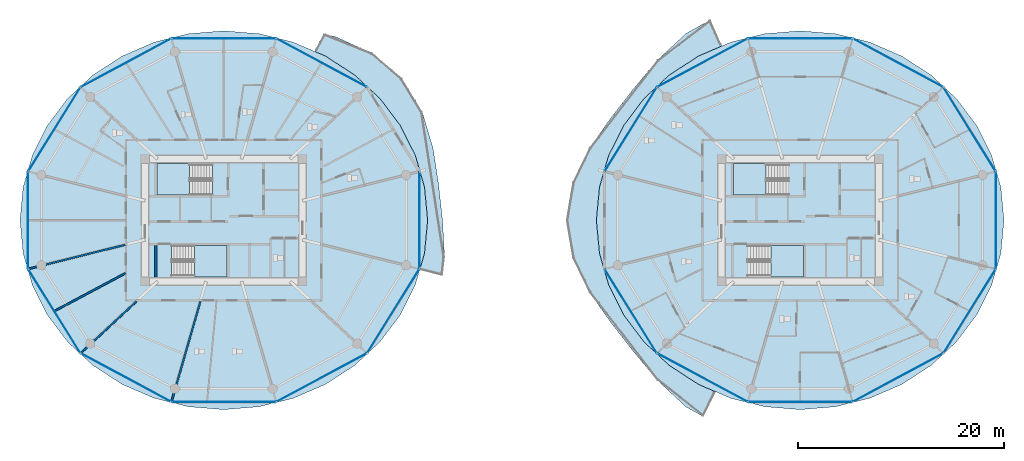
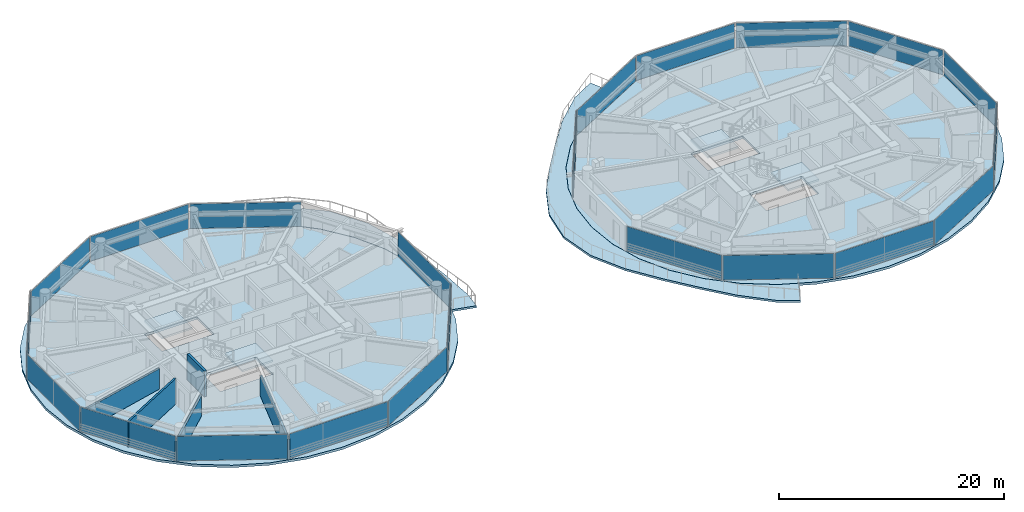
# One storey, part 14 of 26: 22 plates, 8 slabs, 5 walls, 26 elements without a shape of their own.
"""IFC4 building model written with IfcOpenShell, lengths in metres."""

from ifc_helpers import new_model, si_unit, direction, frame, frame_2d, origin, origin_2d, place, context, subcontext, project, spatial, polyline, rectangle, outline, extrude, source, transform, mapped, material, layer, layer_set, type_object, type_shapes, element, aggregate, save


model = new_model("IFC4")

# Units and contexts
model_context = context("Model", 3, precision=1e-05, world=origin(), true_north=direction((0.0, 1.0)))
body_context = subcontext(model_context, "Body", "Model", "MODEL_VIEW")
ifc_project = project(units=[si_unit("LENGTHUNIT", "METRE"), si_unit("AREAUNIT", "SQUARE_METRE"), si_unit("VOLUMEUNIT", "CUBIC_METRE"), si_unit("PLANEANGLEUNIT", "RADIAN"), si_unit("MASSUNIT", "GRAM", prefix="KILO")], contexts=[model_context])

# Site, building, storey
site_placement = place(None, origin())
site = spatial("IfcSite", under=ifc_project, at=site_placement, CompositionType="ELEMENT")
building_placement = place(site_placement, origin())
building = spatial("IfcBuilding", under=site, at=building_placement, Name="Norrkilde Senior Care Towers", CompositionType="ELEMENT")
storey_placement = place(building_placement, frame((0.0, 0.0, 67.35009765625)))
storey = spatial("IfcBuildingStorey", under=building, at=storey_placement, Name="L20", CompositionType="ELEMENT", Elevation=67.35009765625)

# Slabs
ifc_material_1 = material(Name="Concrete C50/60", Category="concrete")
ifc_layer_1 = layer(ifc_material_1, 0.215087890625)
ifc_layer_set_1 = layer_set([ifc_layer_1], Name="Concrete C50/60")
slab_type_1 = type_object("IfcSlabType", Name="Sinusoidal Balcony Ribbon Slab 215", PredefinedType="FLOOR", material=ifc_layer_set_1)
slab_1_placement = place(storey_placement, frame((0.0, 0.0, -0.215087890625)))
element("IfcSlab", 1, at=slab_1_placement, inside=storey, type_object=slab_type_1, Name="L20 Drum W Swirling Senior Balcony 1", PredefinedType="FLOOR", context=body_context, shape_type="SweptSolid", body=[
    extrude(outline(polyline([(-8.965087890625, -4.823486328125), (-8.495849609375, -3.196044921875), (-8.195068359375, 0.0), (-8.495849609375, 3.196044921875), (-9.389404296875, 6.294921875), (-10.848388671875, 9.202392578125), (-12.828369140625, 11.83056640625), (-15.26953125, 14.09912109375), (-18.097412109375, 15.939208984375), (-19.16357421875, 16.401123046875), (-18.2470703125, 18.1025390625), (-17.095458984375, 17.807373046875), (-13.60107421875, 16.2392578125), (-10.688720703125, 13.762939453125), (-8.718505859375, 10.52587890625), (-7.662353515625, 6.971435546875), (-7.128662109375, 3.45556640625), (-6.74609375, 0.0), (-6.545166015625, -3.566162109375), (-6.74609375, -5.385986328125), (-8.965087890625, -4.823486328125)])), origin(), (0.0, 0.0, 1.0), 0.215087890625),
])
slab_2_placement = place(storey_placement, frame((0.0, 0.0, -0.215087890625)))
element("IfcSlab", 2, at=slab_2_placement, inside=storey, type_object=slab_type_1, Name="L20 Drum E Swirling Senior Balcony 1", PredefinedType="FLOOR", context=body_context, shape_type="SweptSolid", body=[
    extrude(outline(polyline([(14.129150390625, -15.56201171875), (11.795654296875, -12.763427734375), (9.61767578125, -9.96728515625), (7.540771484375, -7.01904296875), (5.923583984375, -3.68408203125), (5.300048828125, 0.0), (5.923583984375, 3.68408203125), (7.540771484375, 7.01904296875), (9.61767578125, 9.96728515625), (11.795654296875, 12.763427734375), (14.129150390625, 15.56201171875), (16.912109375, 18.14892578125), (19.2685546875, 19.45361328125), (20.3984375, 16.936279296875), (18.097412109375, 15.939208984375), (15.26953125, 14.09912109375), (12.828369140625, 11.83056640625), (10.848388671875, 9.202392578125), (9.389404296875, 6.294921875), (8.495849609375, 3.196044921875), (8.195068359375, 0.0), (8.495849609375, -3.196044921875), (9.389404296875, -6.294921875), (10.848388671875, -9.202392578125), (12.828369140625, -11.83056640625), (15.26953125, -14.09912109375), (18.097412109375, -15.939208984375), (19.78125, -16.6689453125), (18.592529296875, -19.079345703125), (16.912109375, -18.14892578125), (14.129150390625, -15.56201171875)])), origin(), (0.0, 0.0, 1.0), 0.215087890625),
])

# Stair, slab
ifc_material_2 = material(Name="Concrete C45/55", Category="concrete")
stair_type = type_object("IfcStairType", Name="Core Protected Dogleg Stair Typical 3050", PredefinedType="HALF_TURN_STAIR", material=ifc_material_2)
stair_1_placement = place(storey_placement, origin())
stair_1 = element("IfcStair", 3, at=stair_1_placement, inside=storey, type_object=stair_type, Name="L20 Protected Core Stair W1", PredefinedType="HALF_TURN_STAIR")
ifc_layer_2 = layer(ifc_material_2, 0.199951171875)
ifc_layer_set_2 = layer_set([ifc_layer_2], Name="Concrete C45/55")
slab_type_2 = type_object("IfcSlabType", Name="Stair Landing Slab 200", PredefinedType="LANDING", material=ifc_layer_set_2)
slab_3_placement = place(storey_placement, frame((0.0, 0.0, 1.324951171875)))
slab_3 = element("IfcSlab", 4, at=slab_3_placement, type_object=slab_type_2, Name="ST-W1 landing 1", PredefinedType="LANDING", context=body_context, shape_type="SweptSolid", body=[
    extrude(outline(polyline([(-31.340087890625, 5.52490234375), (-34.5, 5.52490234375), (-34.5, 2.449951171875), (-31.340087890625, 2.449951171875), (-31.340087890625, 5.52490234375)])), origin(), (0.0, 0.0, 1.0), 0.199951171875),
])
aggregate(stair_1, [slab_3])

stair_2_placement = place(storey_placement, origin())
stair_2 = element("IfcStair", 5, at=stair_2_placement, inside=storey, type_object=stair_type, Name="L20 Protected Core Stair W2", PredefinedType="HALF_TURN_STAIR")
slab_4_placement = place(storey_placement, frame((0.0, 0.0, 1.324951171875)))
slab_4 = element("IfcSlab", 6, at=slab_4_placement, type_object=slab_type_2, Name="ST-W2 landing 1", PredefinedType="LANDING", context=body_context, shape_type="SweptSolid", body=[
    extrude(outline(polyline([(-30.860107421875, -5.52490234375), (-27.699951171875, -5.52490234375), (-27.699951171875, -2.449951171875), (-30.860107421875, -2.449951171875), (-30.860107421875, -5.52490234375)])), origin(), (0.0, 0.0, 1.0), 0.199951171875),
])
aggregate(stair_2, [slab_4])

stair_3_placement = place(storey_placement, origin())
stair_3 = element("IfcStair", 7, at=stair_3_placement, inside=storey, type_object=stair_type, Name="L20 Protected Core Stair E1", PredefinedType="HALF_TURN_STAIR")
slab_5_placement = place(storey_placement, frame((0.0, 0.0, 1.324951171875)))
slab_5 = element("IfcSlab", 8, at=slab_5_placement, type_object=slab_type_2, Name="ST-E1 landing 1", PredefinedType="LANDING", context=body_context, shape_type="SweptSolid", body=[
    extrude(outline(polyline([(24.659912109375, 5.52490234375), (21.5, 5.52490234375), (21.5, 2.449951171875), (24.659912109375, 2.449951171875), (24.659912109375, 5.52490234375)])), origin(), (0.0, 0.0, 1.0), 0.199951171875),
])
aggregate(stair_3, [slab_5])

stair_4_placement = place(storey_placement, origin())
stair_4 = element("IfcStair", 9, at=stair_4_placement, inside=storey, type_object=stair_type, Name="L20 Protected Core Stair E2", PredefinedType="HALF_TURN_STAIR")
slab_6_placement = place(storey_placement, frame((0.0, 0.0, 1.324951171875)))
slab_6 = element("IfcSlab", 10, at=slab_6_placement, type_object=slab_type_2, Name="ST-E2 landing 1", PredefinedType="LANDING", context=body_context, shape_type="SweptSolid", body=[
    extrude(outline(polyline([(25.139892578125, -5.52490234375), (28.300048828125, -5.52490234375), (28.300048828125, -2.449951171875), (25.139892578125, -2.449951171875), (25.139892578125, -5.52490234375)])), origin(), (0.0, 0.0, 1.0), 0.199951171875),
])
aggregate(stair_4, [slab_6])

# Slabs
ifc_layer_3 = layer(ifc_material_1, 0.260009765625)
ifc_layer_set_3 = layer_set([ifc_layer_3], Name="Concrete C50/60")
slab_type_3 = type_object("IfcSlabType", Name="Tower Care Floor Slab 260", PredefinedType="FLOOR", material=ifc_layer_set_3)
slab_7_placement = place(storey_placement, frame((0.0, 0.0, -0.260009765625)))
element("IfcSlab", 11, at=slab_7_placement, inside=storey, type_object=slab_type_3, Name="L20 Drum W Structural Floor Slab", PredefinedType="FLOOR", context=body_context, shape_type="SweptSolid", body=[
    extrude(outline(polyline([(-9.39404296875, -6.293212890625), (-10.852783203125, -9.199951171875), (-12.832275390625, -11.827392578125), (-15.272705078125, -14.09521484375), (-18.10009765625, -15.934814453125), (-21.22802734375, -17.290283203125), (-24.561767578125, -18.120361328125), (-28.0, -18.39990234375), (-31.438232421875, -18.120361328125), (-34.77197265625, -17.290283203125), (-37.89990234375, -15.934814453125), (-40.727294921875, -14.09521484375), (-43.167724609375, -11.827392578125), (-45.147216796875, -9.199951171875), (-46.60595703125, -6.293212890625), (-47.499267578125, -3.195068359375), (-47.800048828125, 0.0), (-47.499267578125, 3.195068359375), (-46.60595703125, 6.293212890625), (-45.147216796875, 9.199951171875), (-43.167724609375, 11.827392578125), (-40.727294921875, 14.09521484375), (-37.89990234375, 15.934814453125), (-34.77197265625, 17.290283203125), (-31.438232421875, 18.120361328125), (-28.0, 18.39990234375), (-24.561767578125, 18.120361328125), (-21.22802734375, 17.290283203125), (-18.10009765625, 15.934814453125), (-15.272705078125, 14.09521484375), (-12.832275390625, 11.827392578125), (-10.852783203125, 9.199951171875), (-9.39404296875, 6.293212890625), (-8.500732421875, 3.195068359375), (-8.199951171875, 0.0), (-8.500732421875, -3.195068359375), (-9.39404296875, -6.293212890625)]), holes=[polyline([(-34.48193359375, 2.468017578125), (-29.117919921875, 2.468017578125), (-29.117919921875, 5.52490234375), (-34.48193359375, 5.52490234375), (-34.48193359375, 2.468017578125)]), polyline([(-27.718017578125, -5.52490234375), (-27.718017578125, -2.468017578125), (-33.08203125, -2.468017578125), (-33.08203125, -5.52490234375), (-27.718017578125, -5.52490234375)])]), origin(), (0.0, 0.0, 1.0), 0.260009765625),
])
slab_8_placement = place(storey_placement, frame((0.0, 0.0, -0.260009765625)))
element("IfcSlab", 12, at=slab_8_placement, inside=storey, type_object=slab_type_3, Name="L20 Drum E Structural Floor Slab", PredefinedType="FLOOR", context=body_context, shape_type="SweptSolid", body=[
    extrude(outline(polyline([(46.60595703125, -6.293212890625), (45.147216796875, -9.199951171875), (43.167724609375, -11.827392578125), (40.727294921875, -14.09521484375), (37.89990234375, -15.934814453125), (34.77197265625, -17.290283203125), (31.438232421875, -18.120361328125), (28.0, -18.39990234375), (24.561767578125, -18.120361328125), (21.22802734375, -17.290283203125), (18.10009765625, -15.934814453125), (15.272705078125, -14.09521484375), (12.832275390625, -11.827392578125), (10.852783203125, -9.199951171875), (9.39404296875, -6.293212890625), (8.500732421875, -3.195068359375), (8.199951171875, 0.0), (8.500732421875, 3.195068359375), (9.39404296875, 6.293212890625), (10.852783203125, 9.199951171875), (12.832275390625, 11.827392578125), (15.272705078125, 14.09521484375), (18.10009765625, 15.934814453125), (21.22802734375, 17.290283203125), (24.561767578125, 18.120361328125), (28.0, 18.39990234375), (31.438232421875, 18.120361328125), (34.77197265625, 17.290283203125), (37.89990234375, 15.934814453125), (40.727294921875, 14.09521484375), (43.167724609375, 11.827392578125), (45.147216796875, 9.199951171875), (46.60595703125, 6.293212890625), (47.499267578125, 3.195068359375), (47.800048828125, 0.0), (47.499267578125, -3.195068359375), (46.60595703125, -6.293212890625)]), holes=[polyline([(21.51806640625, 2.468017578125), (26.882080078125, 2.468017578125), (26.882080078125, 5.52490234375), (21.51806640625, 5.52490234375), (21.51806640625, 2.468017578125)]), polyline([(28.281982421875, -5.52490234375), (28.281982421875, -2.468017578125), (22.91796875, -2.468017578125), (22.91796875, -5.52490234375), (28.281982421875, -5.52490234375)])]), origin(), (0.0, 0.0, 1.0), 0.260009765625),
])

# Curtain wall, plate
ifc_material_3 = material(Name="Triple Low-E Insulated Glazing", Category="glass")
ifc_layer_4 = layer(ifc_material_3, 0.199951171875)
ifc_layer_set_4 = layer_set([ifc_layer_4], Name="Triple Low-E Insulated Glazing")
curtain_wall_type = type_object("IfcCurtainWallType", Name="CW2 Zone 1 Memory Care Curtain Wall", PredefinedType="NOTDEFINED", material=ifc_layer_set_4)
curtain_wall_1_placement = place(storey_placement, origin())
curtain_wall_1 = element("IfcCurtainWall", 13, at=curtain_wall_1_placement, inside=storey, type_object=curtain_wall_type, Name="L20 Drum W Curtain Wall 04", PredefinedType="NOTDEFINED")
ifc_layer_5 = layer(ifc_material_3, 0.035888671875)
ifc_layer_set_5 = layer_set([ifc_layer_5], Name="Triple Low-E Insulated Glazing")
plate_type = type_object("IfcPlateType", Name="Triple Low-E Vision Curtain Panel 36", PredefinedType="CURTAIN_PANEL", material=ifc_layer_set_5)
shared_shape_1 = source(origin(), body_context, "Body", "SweptSolid", [
    extrude(rectangle(XDim=9.518798828125, YDim=0.035888671875, at=origin_2d()), origin(), (0.0, 0.0, 1.0), 2.669921875),
])
plate_1_placement = place(storey_placement, frame((-44.462646484375, 8.82861328125, 0.06005859375), z_axis=(0.0, 0.0, 1.0), x_axis=(0.527900951871, 0.849305943117, 0.0)))
plate_1 = element("IfcPlate", 14, at=plate_1_placement, type_object=plate_type, Name="CW-2 panel 1.1", PredefinedType="CURTAIN_PANEL", context=body_context, shape_type="MappedRepresentation", body=[
    mapped(shared_shape_1, transform((0.0, 0.0, 0.0), x_axis=(1.0, 0.0, 0.0), y_axis=(0.0, 1.0, 0.0), z_axis=(0.0, 0.0, 1.0), scale=1.0)),
])
aggregate(curtain_wall_1, [plate_1])

curtain_wall_2_placement = place(storey_placement, origin())
curtain_wall_2 = element("IfcCurtainWall", 15, at=curtain_wall_2_placement, inside=storey, type_object=curtain_wall_type, Name="L20 Drum W Curtain Wall 06", PredefinedType="NOTDEFINED")
plate_2_placement = place(storey_placement, frame((-44.462646484375, -8.82861328125, 0.06005859375), z_axis=(0.0, 0.0, 1.0), x_axis=(-0.527900951871, 0.849305943117, 0.0)))
plate_2 = element("IfcPlate", 16, at=plate_2_placement, type_object=plate_type, Name="CW-2 panel 1.1", PredefinedType="CURTAIN_PANEL", context=body_context, shape_type="MappedRepresentation", body=[
    mapped(shared_shape_1, transform((0.0, 0.0, 0.0), x_axis=(1.0, 0.0, 0.0), y_axis=(0.0, 1.0, 0.0), z_axis=(0.0, 0.0, 1.0), scale=1.0)),
])
aggregate(curtain_wall_2, [plate_2])

curtain_wall_3_placement = place(storey_placement, origin())
curtain_wall_3 = element("IfcCurtainWall", 17, at=curtain_wall_3_placement, inside=storey, type_object=curtain_wall_type, Name="L20 Drum W Curtain Wall 10", PredefinedType="NOTDEFINED")
plate_3_placement = place(storey_placement, frame((-11.537353515625, -8.82861328125, 0.06005859375), z_axis=(0.0, 0.0, 1.0), x_axis=(-0.527900951871, -0.849305943117, 0.0)))
plate_3 = element("IfcPlate", 18, at=plate_3_placement, type_object=plate_type, Name="CW-2 panel 1.1", PredefinedType="CURTAIN_PANEL", context=body_context, shape_type="MappedRepresentation", body=[
    mapped(shared_shape_1, transform((0.0, 0.0, 0.0), x_axis=(1.0, 0.0, 0.0), y_axis=(0.0, 1.0, 0.0), z_axis=(0.0, 0.0, 1.0), scale=1.0)),
])
aggregate(curtain_wall_3, [plate_3])

curtain_wall_4_placement = place(storey_placement, origin())
curtain_wall_4 = element("IfcCurtainWall", 19, at=curtain_wall_4_placement, inside=storey, type_object=curtain_wall_type, Name="L20 Drum E Curtain Wall 00", PredefinedType="NOTDEFINED")
plate_4_placement = place(storey_placement, frame((44.462646484375, 8.82861328125, 0.06005859375), z_axis=(0.0, 0.0, 1.0), x_axis=(0.527900951871, -0.849305943117, 0.0)))
plate_4 = element("IfcPlate", 20, at=plate_4_placement, type_object=plate_type, Name="CW-2 panel 1.1", PredefinedType="CURTAIN_PANEL", context=body_context, shape_type="MappedRepresentation", body=[
    mapped(shared_shape_1, transform((0.0, 0.0, 0.0), x_axis=(1.0, 0.0, 0.0), y_axis=(0.0, 1.0, 0.0), z_axis=(0.0, 0.0, 1.0), scale=1.0)),
])
aggregate(curtain_wall_4, [plate_4])

curtain_wall_5_placement = place(storey_placement, origin())
curtain_wall_5 = element("IfcCurtainWall", 21, at=curtain_wall_5_placement, inside=storey, type_object=curtain_wall_type, Name="L20 Drum E Curtain Wall 04", PredefinedType="NOTDEFINED")
plate_5_placement = place(storey_placement, frame((11.537353515625, 8.82861328125, 0.06005859375), z_axis=(0.0, 0.0, 1.0), x_axis=(0.527900951871, 0.849305943117, 0.0)))
plate_5 = element("IfcPlate", 22, at=plate_5_placement, type_object=plate_type, Name="CW-2 panel 1.1", PredefinedType="CURTAIN_PANEL", context=body_context, shape_type="MappedRepresentation", body=[
    mapped(shared_shape_1, transform((0.0, 0.0, 0.0), x_axis=(1.0, 0.0, 0.0), y_axis=(0.0, 1.0, 0.0), z_axis=(0.0, 0.0, 1.0), scale=1.0)),
])
aggregate(curtain_wall_5, [plate_5])

curtain_wall_6_placement = place(storey_placement, origin())
curtain_wall_6 = element("IfcCurtainWall", 23, at=curtain_wall_6_placement, inside=storey, type_object=curtain_wall_type, Name="L20 Drum E Curtain Wall 06", PredefinedType="NOTDEFINED")
plate_6_placement = place(storey_placement, frame((11.537353515625, -8.82861328125, 0.06005859375), z_axis=(0.0, 0.0, 1.0), x_axis=(-0.527900951871, 0.849305943117, 0.0)))
plate_6 = element("IfcPlate", 24, at=plate_6_placement, type_object=plate_type, Name="CW-2 panel 1.1", PredefinedType="CURTAIN_PANEL", context=body_context, shape_type="MappedRepresentation", body=[
    mapped(shared_shape_1, transform((0.0, 0.0, 0.0), x_axis=(1.0, 0.0, 0.0), y_axis=(0.0, 1.0, 0.0), z_axis=(0.0, 0.0, 1.0), scale=1.0)),
])
aggregate(curtain_wall_6, [plate_6])

curtain_wall_7_placement = place(storey_placement, origin())
curtain_wall_7 = element("IfcCurtainWall", 25, at=curtain_wall_7_placement, inside=storey, type_object=curtain_wall_type, Name="L20 Drum E Curtain Wall 10", PredefinedType="NOTDEFINED")
plate_7_placement = place(storey_placement, frame((44.462646484375, -8.82861328125, 0.06005859375), z_axis=(0.0, 0.0, 1.0), x_axis=(-0.527900951871, -0.849305943117, 0.0)))
plate_7 = element("IfcPlate", 26, at=plate_7_placement, type_object=plate_type, Name="CW-2 panel 1.1", PredefinedType="CURTAIN_PANEL", context=body_context, shape_type="MappedRepresentation", body=[
    mapped(shared_shape_1, transform((0.0, 0.0, 0.0), x_axis=(1.0, 0.0, 0.0), y_axis=(0.0, 1.0, 0.0), z_axis=(0.0, 0.0, 1.0), scale=1.0)),
])
aggregate(curtain_wall_7, [plate_7])

curtain_wall_8_placement = place(storey_placement, origin())
curtain_wall_8 = element("IfcCurtainWall", 27, at=curtain_wall_8_placement, inside=storey, type_object=curtain_wall_type, Name="L20 Drum W Curtain Wall 01", PredefinedType="NOTDEFINED")
shared_shape_2 = source(origin(), body_context, "Body", "SweptSolid", [
    extrude(rectangle(XDim=9.880859375, YDim=0.035888671875, at=origin_2d()), origin(), (0.0, 0.0, 1.0), 2.669921875),
])
plate_8_placement = place(storey_placement, frame((-18.495361328125, 15.29150390625, 0.06005859375), z_axis=(0.0, 0.0, 1.0), x_axis=(0.881272866403, -0.472607802456, 0.0)))
plate_8 = element("IfcPlate", 28, at=plate_8_placement, type_object=plate_type, Name="CW-2 panel 1.1", PredefinedType="CURTAIN_PANEL", context=body_context, shape_type="MappedRepresentation", body=[
    mapped(shared_shape_2, transform((0.0, 0.0, 0.0), x_axis=(1.0, 0.0, 0.0), y_axis=(0.0, 1.0, 0.0), z_axis=(0.0, 0.0, 1.0), scale=1.0)),
])
aggregate(curtain_wall_8, [plate_8])

curtain_wall_9_placement = place(storey_placement, origin())
curtain_wall_9 = element("IfcCurtainWall", 29, at=curtain_wall_9_placement, inside=storey, type_object=curtain_wall_type, Name="L20 Drum W Curtain Wall 03", PredefinedType="NOTDEFINED")
plate_9_placement = place(storey_placement, frame((-37.504638671875, 15.29150390625, 0.06005859375), z_axis=(0.0, 0.0, 1.0), x_axis=(0.881272866403, 0.472607802456, 0.0)))
plate_9 = element("IfcPlate", 30, at=plate_9_placement, type_object=plate_type, Name="CW-2 panel 1.1", PredefinedType="CURTAIN_PANEL", context=body_context, shape_type="MappedRepresentation", body=[
    mapped(shared_shape_2, transform((0.0, 0.0, 0.0), x_axis=(1.0, 0.0, 0.0), y_axis=(0.0, 1.0, 0.0), z_axis=(0.0, 0.0, 1.0), scale=1.0)),
])
aggregate(curtain_wall_9, [plate_9])

curtain_wall_10_placement = place(storey_placement, origin())
curtain_wall_10 = element("IfcCurtainWall", 31, at=curtain_wall_10_placement, inside=storey, type_object=curtain_wall_type, Name="L20 Drum W Curtain Wall 07", PredefinedType="NOTDEFINED")
plate_10_placement = place(storey_placement, frame((-37.504638671875, -15.29150390625, 0.06005859375), z_axis=(0.0, 0.0, 1.0), x_axis=(-0.881272866403, 0.472607802456, 0.0)))
plate_10 = element("IfcPlate", 32, at=plate_10_placement, type_object=plate_type, Name="CW-2 panel 1.1", PredefinedType="CURTAIN_PANEL", context=body_context, shape_type="MappedRepresentation", body=[
    mapped(shared_shape_2, transform((0.0, 0.0, 0.0), x_axis=(1.0, 0.0, 0.0), y_axis=(0.0, 1.0, 0.0), z_axis=(0.0, 0.0, 1.0), scale=1.0)),
])
aggregate(curtain_wall_10, [plate_10])

curtain_wall_11_placement = place(storey_placement, origin())
curtain_wall_11 = element("IfcCurtainWall", 33, at=curtain_wall_11_placement, inside=storey, type_object=curtain_wall_type, Name="L20 Drum W Curtain Wall 09", PredefinedType="NOTDEFINED")
plate_11_placement = place(storey_placement, frame((-18.495361328125, -15.29150390625, 0.06005859375), z_axis=(0.0, 0.0, 1.0), x_axis=(-0.881272866403, -0.472607802456, 0.0)))
plate_11 = element("IfcPlate", 34, at=plate_11_placement, type_object=plate_type, Name="CW-2 panel 1.1", PredefinedType="CURTAIN_PANEL", context=body_context, shape_type="MappedRepresentation", body=[
    mapped(shared_shape_2, transform((0.0, 0.0, 0.0), x_axis=(1.0, 0.0, 0.0), y_axis=(0.0, 1.0, 0.0), z_axis=(0.0, 0.0, 1.0), scale=1.0)),
])
aggregate(curtain_wall_11, [plate_11])

curtain_wall_12_placement = place(storey_placement, origin())
curtain_wall_12 = element("IfcCurtainWall", 35, at=curtain_wall_12_placement, inside=storey, type_object=curtain_wall_type, Name="L20 Drum E Curtain Wall 01", PredefinedType="NOTDEFINED")
plate_12_placement = place(storey_placement, frame((37.504638671875, 15.29150390625, 0.06005859375), z_axis=(0.0, 0.0, 1.0), x_axis=(0.881272866403, -0.472607802456, 0.0)))
plate_12 = element("IfcPlate", 36, at=plate_12_placement, type_object=plate_type, Name="CW-2 panel 1.1", PredefinedType="CURTAIN_PANEL", context=body_context, shape_type="MappedRepresentation", body=[
    mapped(shared_shape_2, transform((0.0, 0.0, 0.0), x_axis=(1.0, 0.0, 0.0), y_axis=(0.0, 1.0, 0.0), z_axis=(0.0, 0.0, 1.0), scale=1.0)),
])
aggregate(curtain_wall_12, [plate_12])

curtain_wall_13_placement = place(storey_placement, origin())
curtain_wall_13 = element("IfcCurtainWall", 37, at=curtain_wall_13_placement, inside=storey, type_object=curtain_wall_type, Name="L20 Drum E Curtain Wall 03", PredefinedType="NOTDEFINED")
plate_13_placement = place(storey_placement, frame((18.495361328125, 15.29150390625, 0.06005859375), z_axis=(0.0, 0.0, 1.0), x_axis=(0.881272866403, 0.472607802456, 0.0)))
plate_13 = element("IfcPlate", 38, at=plate_13_placement, type_object=plate_type, Name="CW-2 panel 1.1", PredefinedType="CURTAIN_PANEL", context=body_context, shape_type="MappedRepresentation", body=[
    mapped(shared_shape_2, transform((0.0, 0.0, 0.0), x_axis=(1.0, 0.0, 0.0), y_axis=(0.0, 1.0, 0.0), z_axis=(0.0, 0.0, 1.0), scale=1.0)),
])
aggregate(curtain_wall_13, [plate_13])

curtain_wall_14_placement = place(storey_placement, origin())
curtain_wall_14 = element("IfcCurtainWall", 39, at=curtain_wall_14_placement, inside=storey, type_object=curtain_wall_type, Name="L20 Drum E Curtain Wall 07", PredefinedType="NOTDEFINED")
plate_14_placement = place(storey_placement, frame((18.495361328125, -15.29150390625, 0.06005859375), z_axis=(0.0, 0.0, 1.0), x_axis=(-0.881272866403, 0.472607802456, 0.0)))
plate_14 = element("IfcPlate", 40, at=plate_14_placement, type_object=plate_type, Name="CW-2 panel 1.1", PredefinedType="CURTAIN_PANEL", context=body_context, shape_type="MappedRepresentation", body=[
    mapped(shared_shape_2, transform((0.0, 0.0, 0.0), x_axis=(1.0, 0.0, 0.0), y_axis=(0.0, 1.0, 0.0), z_axis=(0.0, 0.0, 1.0), scale=1.0)),
])
aggregate(curtain_wall_14, [plate_14])

curtain_wall_15_placement = place(storey_placement, origin())
curtain_wall_15 = element("IfcCurtainWall", 41, at=curtain_wall_15_placement, inside=storey, type_object=curtain_wall_type, Name="L20 Drum E Curtain Wall 09", PredefinedType="NOTDEFINED")
plate_15_placement = place(storey_placement, frame((37.504638671875, -15.29150390625, 0.06005859375), z_axis=(0.0, 0.0, 1.0), x_axis=(-0.881272866403, -0.472607802456, 0.0)))
plate_15 = element("IfcPlate", 42, at=plate_15_placement, type_object=plate_type, Name="CW-2 panel 1.1", PredefinedType="CURTAIN_PANEL", context=body_context, shape_type="MappedRepresentation", body=[
    mapped(shared_shape_2, transform((0.0, 0.0, 0.0), x_axis=(1.0, 0.0, 0.0), y_axis=(0.0, 1.0, 0.0), z_axis=(0.0, 0.0, 1.0), scale=1.0)),
])
aggregate(curtain_wall_15, [plate_15])

curtain_wall_16_placement = place(storey_placement, origin())
curtain_wall_16 = element("IfcCurtainWall", 43, at=curtain_wall_16_placement, inside=storey, type_object=curtain_wall_type, Name="L20 Drum W Curtain Wall 05", PredefinedType="NOTDEFINED")
shared_shape_3 = source(origin(), body_context, "Body", "SweptSolid", [
    extrude(rectangle(XDim=9.33251953125, YDim=0.035888671875, at=origin_2d()), origin(), (0.0, 0.0, 1.0), 2.669921875),
])
plate_16_placement = place(storey_placement, frame((-47.009521484375, 0.0, 0.06005859375), z_axis=(0.0, 0.0, 1.0), x_axis=(0.0, 1.0, 0.0)))
plate_16 = element("IfcPlate", 44, at=plate_16_placement, type_object=plate_type, Name="CW-2 panel 1.1", PredefinedType="CURTAIN_PANEL", context=body_context, shape_type="MappedRepresentation", body=[
    mapped(shared_shape_3, transform((0.0, 0.0, 0.0), x_axis=(1.0, 0.0, 0.0), y_axis=(0.0, 1.0, 0.0), z_axis=(0.0, 0.0, 1.0), scale=1.0)),
])
aggregate(curtain_wall_16, [plate_16])

curtain_wall_17_placement = place(storey_placement, origin())
curtain_wall_17 = element("IfcCurtainWall", 45, at=curtain_wall_17_placement, inside=storey, type_object=curtain_wall_type, Name="L20 Drum W Curtain Wall 11", PredefinedType="NOTDEFINED")
plate_17_placement = place(storey_placement, frame((-8.990478515625, 0.0, 0.06005859375), z_axis=(0.0, 0.0, 1.0), x_axis=(0.0, -1.0, 0.0)))
plate_17 = element("IfcPlate", 46, at=plate_17_placement, type_object=plate_type, Name="CW-2 panel 1.1", PredefinedType="CURTAIN_PANEL", context=body_context, shape_type="MappedRepresentation", body=[
    mapped(shared_shape_3, transform((0.0, 0.0, 0.0), x_axis=(1.0, 0.0, 0.0), y_axis=(0.0, 1.0, 0.0), z_axis=(0.0, 0.0, 1.0), scale=1.0)),
])
aggregate(curtain_wall_17, [plate_17])

curtain_wall_18_placement = place(storey_placement, origin())
curtain_wall_18 = element("IfcCurtainWall", 47, at=curtain_wall_18_placement, inside=storey, type_object=curtain_wall_type, Name="L20 Drum E Curtain Wall 11", PredefinedType="NOTDEFINED")
plate_18_placement = place(storey_placement, frame((47.009521484375, 0.0, 0.06005859375), z_axis=(0.0, 0.0, 1.0), x_axis=(0.0, -1.0, 0.0)))
plate_18 = element("IfcPlate", 48, at=plate_18_placement, type_object=plate_type, Name="CW-2 panel 1.1", PredefinedType="CURTAIN_PANEL", context=body_context, shape_type="MappedRepresentation", body=[
    mapped(shared_shape_3, transform((0.0, 0.0, 0.0), x_axis=(1.0, 0.0, 0.0), y_axis=(0.0, 1.0, 0.0), z_axis=(0.0, 0.0, 1.0), scale=1.0)),
])
aggregate(curtain_wall_18, [plate_18])

curtain_wall_19_placement = place(storey_placement, origin())
curtain_wall_19 = element("IfcCurtainWall", 49, at=curtain_wall_19_placement, inside=storey, type_object=curtain_wall_type, Name="L20 Drum W Curtain Wall 02", PredefinedType="NOTDEFINED")
shared_shape_4 = source(origin(), body_context, "Body", "SweptSolid", [
    extrude(rectangle(XDim=10.05712890625, YDim=0.035888671875, at=origin_2d()), origin(), (0.0, 0.0, 1.0), 2.669921875),
])
type_shapes(plate_type, [shared_shape_1, shared_shape_2, shared_shape_3, shared_shape_4])
plate_19_placement = place(storey_placement, frame((-28.0, 17.6572265625, 0.06005859375), z_axis=(0.0, 0.0, 1.0), x_axis=(1.0, 0.0, 0.0)))
plate_19 = element("IfcPlate", 50, at=plate_19_placement, type_object=plate_type, Name="CW-2 panel 1.1", PredefinedType="CURTAIN_PANEL", context=body_context, shape_type="MappedRepresentation", body=[
    mapped(shared_shape_4, transform((0.0, 0.0, 0.0), x_axis=(1.0, 0.0, 0.0), y_axis=(0.0, 1.0, 0.0), z_axis=(0.0, 0.0, 1.0), scale=1.0)),
])
aggregate(curtain_wall_19, [plate_19])

curtain_wall_20_placement = place(storey_placement, origin())
curtain_wall_20 = element("IfcCurtainWall", 51, at=curtain_wall_20_placement, inside=storey, type_object=curtain_wall_type, Name="L20 Drum W Curtain Wall 08", PredefinedType="NOTDEFINED")
plate_20_placement = place(storey_placement, frame((-28.0, -17.6572265625, 0.06005859375), z_axis=(0.0, 0.0, 1.0), x_axis=(-1.0, 0.0, 0.0)))
plate_20 = element("IfcPlate", 52, at=plate_20_placement, type_object=plate_type, Name="CW-2 panel 1.1", PredefinedType="CURTAIN_PANEL", context=body_context, shape_type="MappedRepresentation", body=[
    mapped(shared_shape_4, transform((0.0, 0.0, 0.0), x_axis=(1.0, 0.0, 0.0), y_axis=(0.0, 1.0, 0.0), z_axis=(0.0, 0.0, 1.0), scale=1.0)),
])
aggregate(curtain_wall_20, [plate_20])

curtain_wall_21_placement = place(storey_placement, origin())
curtain_wall_21 = element("IfcCurtainWall", 53, at=curtain_wall_21_placement, inside=storey, type_object=curtain_wall_type, Name="L20 Drum E Curtain Wall 02", PredefinedType="NOTDEFINED")
plate_21_placement = place(storey_placement, frame((28.0, 17.6572265625, 0.06005859375), z_axis=(0.0, 0.0, 1.0), x_axis=(1.0, 0.0, 0.0)))
plate_21 = element("IfcPlate", 54, at=plate_21_placement, type_object=plate_type, Name="CW-2 panel 1.1", PredefinedType="CURTAIN_PANEL", context=body_context, shape_type="MappedRepresentation", body=[
    mapped(shared_shape_4, transform((0.0, 0.0, 0.0), x_axis=(1.0, 0.0, 0.0), y_axis=(0.0, 1.0, 0.0), z_axis=(0.0, 0.0, 1.0), scale=1.0)),
])
aggregate(curtain_wall_21, [plate_21])

curtain_wall_22_placement = place(storey_placement, origin())
curtain_wall_22 = element("IfcCurtainWall", 55, at=curtain_wall_22_placement, inside=storey, type_object=curtain_wall_type, Name="L20 Drum E Curtain Wall 08", PredefinedType="NOTDEFINED")
plate_22_placement = place(storey_placement, frame((28.0, -17.6572265625, 0.06005859375), z_axis=(0.0, 0.0, 1.0), x_axis=(-1.0, 0.0, 0.0)))
plate_22 = element("IfcPlate", 56, at=plate_22_placement, type_object=plate_type, Name="CW-2 panel 1.1", PredefinedType="CURTAIN_PANEL", context=body_context, shape_type="MappedRepresentation", body=[
    mapped(shared_shape_4, transform((0.0, 0.0, 0.0), x_axis=(1.0, 0.0, 0.0), y_axis=(0.0, 1.0, 0.0), z_axis=(0.0, 0.0, 1.0), scale=1.0)),
])
aggregate(curtain_wall_22, [plate_22])

# Walls
ifc_layer_6 = layer(ifc_material_2, 0.239990234375)
ifc_layer_set_6 = layer_set([ifc_layer_6], Name="Concrete C45/55")
wall_type_1 = type_object("IfcWallType", Name="Shaft and Stair Enclosure Wall 240", PredefinedType="PARTITIONING", material=ifc_layer_set_6)
shared_shape_5 = source(origin(), body_context, "Body", "SweptSolid", [
    extrude(rectangle(XDim=3.074951171875, YDim=0.239990234375, at=frame_2d((1.53759765625, 0.0))), origin(), (0.0, 0.0, 1.0), 2.789794921875),
])
type_shapes(wall_type_1, [shared_shape_5])
wall_1_placement = place(storey_placement, frame((-34.6201171875, -5.52490234375, 0.0), z_axis=(0.0, 0.0, 1.0), x_axis=(0.0, 1.0, 0.0)))
element("IfcWall", 57, at=wall_1_placement, inside=storey, type_object=wall_type_1, Name="WL-INT-L20-W-ST2W", PredefinedType="PARTITIONING", context=body_context, shape_type="MappedRepresentation", body=[
    mapped(shared_shape_5, transform((0.0, 0.0, 0.0), x_axis=(1.0, 0.0, 0.0), y_axis=(0.0, 1.0, 0.0), z_axis=(0.0, 0.0, 1.0), scale=1.0)),
])
ifc_material_4 = material(Name="Gypsum Acoustic Board")
ifc_layer_7 = layer(ifc_material_4, 0.18994140625)
ifc_layer_set_7 = layer_set([ifc_layer_7], Name="Gypsum Acoustic Board")
wall_type_2 = type_object("IfcWallType", Name="Unit Demising Acoustic Wall 190", PredefinedType="PARTITIONING", material=ifc_layer_set_7)
shared_shape_6 = source(origin(), body_context, "Body", "SweptSolid", [
    extrude(rectangle(XDim=7.4345703125, YDim=0.18994140625, at=frame_2d((3.71728515625, 0.0))), origin(), (0.0, 0.0, 1.0), 2.224853515625),
])
wall_2_placement = place(storey_placement, frame((-36.48291015625, -7.8798828125, 0.0), z_axis=(0.0, 0.0, 1.0), x_axis=(-0.732651956848, -0.680603489652, 0.0)))
element("IfcWall", 58, at=wall_2_placement, inside=storey, type_object=wall_type_2, Name="WL-INT-L20-W-DEM-07-0", PredefinedType="PARTITIONING", context=body_context, shape_type="MappedRepresentation", body=[
    mapped(shared_shape_6, transform((0.0, 0.0, 0.0), x_axis=(1.0, 0.0, 0.0), y_axis=(0.0, 1.0, 0.0), z_axis=(0.0, 0.0, 1.0), scale=1.0)),
])
shared_shape_7 = source(origin(), body_context, "Body", "SweptSolid", [
    extrude(rectangle(XDim=10.196044921875, YDim=0.18994140625, at=frame_2d((5.09814453125, 0.0))), origin(), (0.0, 0.0, 1.0), 2.224853515625),
])
wall_3_placement = place(storey_placement, frame((-30.27294921875, -7.8798828125, 0.0), z_axis=(0.0, 0.0, 1.0), x_axis=(-0.277136420347, -0.960830580549, 0.0)))
element("IfcWall", 59, at=wall_3_placement, inside=storey, type_object=wall_type_2, Name="WL-INT-L20-W-DEM-08-0", PredefinedType="PARTITIONING", context=body_context, shape_type="MappedRepresentation", body=[
    mapped(shared_shape_7, transform((0.0, 0.0, 0.0), x_axis=(1.0, 0.0, 0.0), y_axis=(0.0, 1.0, 0.0), z_axis=(0.0, 0.0, 1.0), scale=1.0)),
])
shared_shape_8 = source(origin(), body_context, "Body", "SweptSolid", [
    extrude(rectangle(XDim=9.737060546875, YDim=0.18994140625, at=frame_2d((4.86865234375, 0.0))), origin(), (0.0, 0.0, 1.0), 2.224853515625),
])
wall_4_placement = place(storey_placement, frame((-37.580078125, -2.384521484375, 0.0), z_axis=(0.0, 0.0, 1.0), x_axis=(-0.970392716238, -0.241532557375, 0.0)))
element("IfcWall", 60, at=wall_4_placement, inside=storey, type_object=wall_type_2, Name="WL-INT-L20-W-DEM-06-0", PredefinedType="PARTITIONING", context=body_context, shape_type="MappedRepresentation", body=[
    mapped(shared_shape_8, transform((0.0, 0.0, 0.0), x_axis=(1.0, 0.0, 0.0), y_axis=(0.0, 1.0, 0.0), z_axis=(0.0, 0.0, 1.0), scale=1.0)),
])
shared_shape_9 = source(origin(), body_context, "Body", "SweptSolid", [
    extrude(rectangle(XDim=7.873291015625, YDim=0.18994140625, at=frame_2d((3.9365234375, 0.0))), origin(), (0.0, 0.0, 1.0), 2.77490234375),
])
type_shapes(wall_type_2, [shared_shape_6, shared_shape_7, shared_shape_8, shared_shape_9])
wall_5_placement = place(storey_placement, frame((-37.530029296875, -5.1376953125, 0.0), z_axis=(0.0, 0.0, 1.0), x_axis=(-0.882666052726, -0.470000680175, 0.0)))
element("IfcWall", 61, at=wall_5_placement, inside=storey, type_object=wall_type_2, Name="WL-INT-L20-W-MID-06", PredefinedType="PARTITIONING", context=body_context, shape_type="MappedRepresentation", body=[
    mapped(shared_shape_9, transform((0.0, 0.0, 0.0), x_axis=(1.0, 0.0, 0.0), y_axis=(0.0, 1.0, 0.0), z_axis=(0.0, 0.0, 1.0), scale=1.0)),
])

save(model, "model.ifc")
